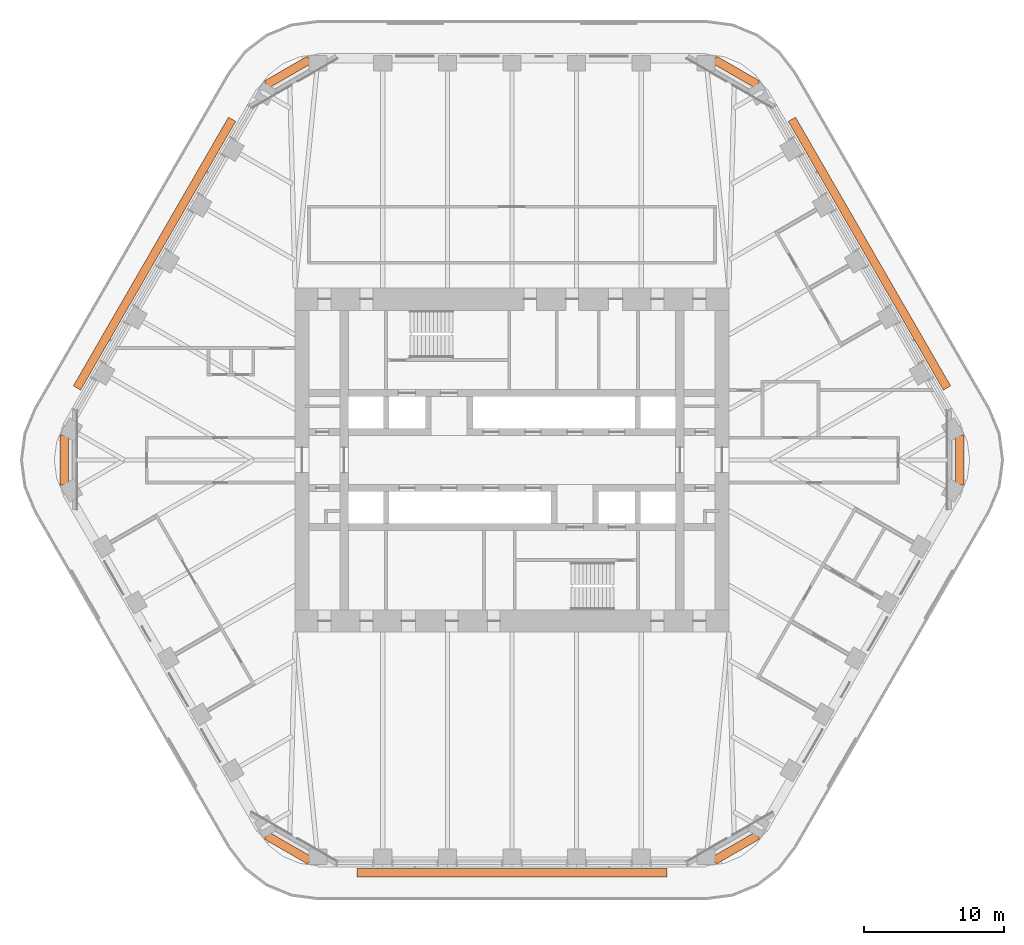
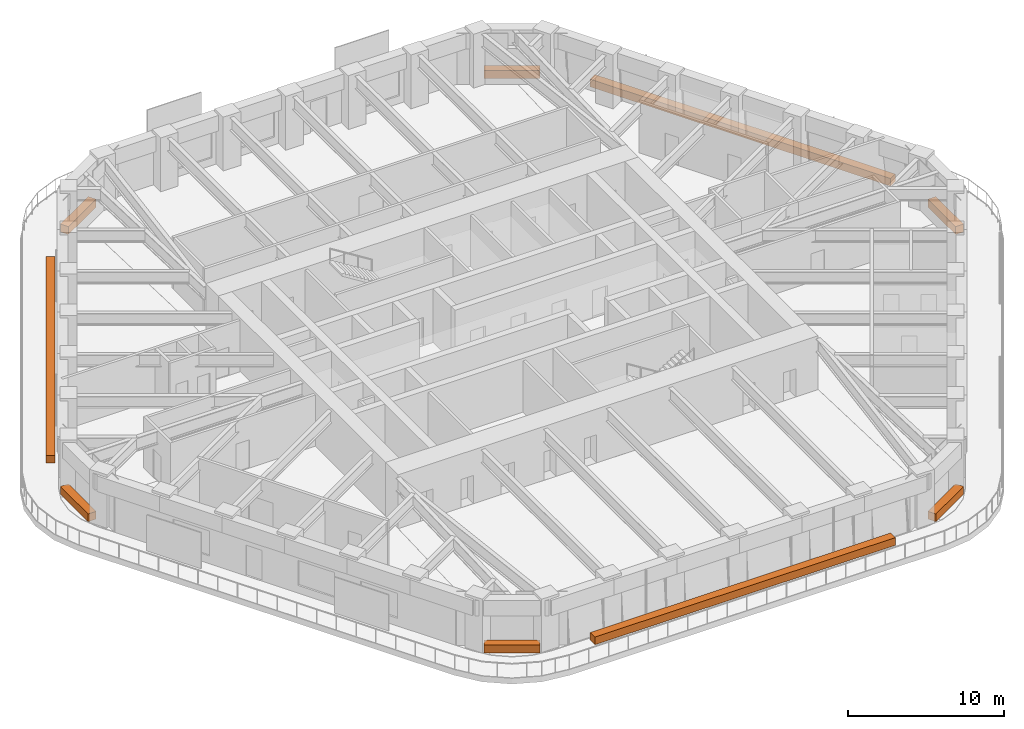
# One storey, part 20 of 20: 9 proxies.
"""IFC4 building model written with IfcOpenShell, lengths in metres."""

from ifc_helpers import new_model, si_unit, direction, frame, origin, origin_2d, place, context, subcontext, project, spatial, rectangle, extrude, material, element, save


model = new_model("IFC4")

# Units and contexts
model_context = context("Model", 3, precision=1e-05, world=origin(), true_north=direction((0.0, 1.0)))
body_context = subcontext(model_context, "Body", "Model", "MODEL_VIEW")
ifc_project = project(units=[si_unit("LENGTHUNIT", "METRE"), si_unit("AREAUNIT", "SQUARE_METRE"), si_unit("VOLUMEUNIT", "CUBIC_METRE"), si_unit("PLANEANGLEUNIT", "RADIAN"), si_unit("MASSUNIT", "GRAM", prefix="KILO")], contexts=[model_context])

# Site, building, storey
site_placement = place(None, origin())
site = spatial("IfcSite", under=ifc_project, at=site_placement, CompositionType="ELEMENT")
building_placement = place(site_placement, origin())
building = spatial("IfcBuilding", under=site, at=building_placement, Name="Tarfa Lantern Tower", CompositionType="ELEMENT")
storey_placement = place(building_placement, frame((0.0, 0.0, 253.300048828125)))
storey = spatial("IfcBuildingStorey", under=building, at=storey_placement, Name="L57", CompositionType="ELEMENT", Elevation=253.300048828125)

# Proxies
ifc_material = material(Name="Planting bed")
for number, where, z_axis, x_axis, name in (
    (1, (16.006591796875, 27.72412109375, 0.039794921875), (0.0, 0.0, 1.0), (-0.866025403784, 0.5, 0.0), "Sky garden planter"),
    (2, (-16.006591796875, 27.72412109375, 0.039794921875), (0.0, 0.0, 1.0), (-0.866025403784, -0.5, 0.0), "Sky garden planter"),
    (3, (-32.012939453125, 0.0, 0.039794921875), (0.0, 0.0, 1.0), (0.0, -1.0, 0.0), "Sky garden planter"),
    (4, (-16.006591796875, -27.72412109375, 0.039794921875), (0.0, 0.0, 1.0), (0.866025403784, -0.5, 0.0), "Sky garden planter"),
    (5, (16.006591796875, -27.72412109375, 0.039794921875), (0.0, 0.0, 1.0), (0.866025403784, 0.5, 0.0), "Sky garden planter"),
    (6, (32.012939453125, 0.0, 0.039794921875), (0.0, 0.0, 1.0), (0.0, 1.0, 0.0), "Sky garden planter"),
):
    element("IfcBuildingElementProxy", number, at=place(storey_placement, frame(where, z_axis=z_axis, x_axis=x_axis)), inside=storey, material=ifc_material, Name=name, ObjectType="PLANTER", PredefinedType="USERDEFINED", context=body_context, shape_type="SweptSolid", body=[
        extrude(rectangle(XDim=3.551025390625, YDim=0.60009765625, at=origin_2d()), origin(), (0.0, 0.0, 1.0), 0.60009765625),
    ])
for number, where, z_axis, x_axis, name in (
    (7, (25.5478515625, 14.75, 0.0), (0.0, 0.0, 1.0), (-0.5, 0.866025403784, 0.0), "Balcony planter"),
    (8, (-25.5478515625, 14.75, 0.0), (0.0, 0.0, 1.0), (-0.5, -0.866025403784, 0.0), "Balcony planter"),
    (9, (0.0, -29.5, 0.0), (0.0, 0.0, 1.0), (1.0, 0.0, 0.0), "Balcony planter"),
):
    element("IfcBuildingElementProxy", number, at=place(storey_placement, frame(where, z_axis=z_axis, x_axis=x_axis)), inside=storey, material=ifc_material, Name=name, ObjectType="PLANTER", PredefinedType="USERDEFINED", context=body_context, shape_type="SweptSolid", body=[
        extrude(rectangle(XDim=22.170166015625, YDim=0.60009765625, at=origin_2d()), origin(), (0.0, 0.0, 1.0), 0.60009765625),
    ])

save(model, "model.ifc")
